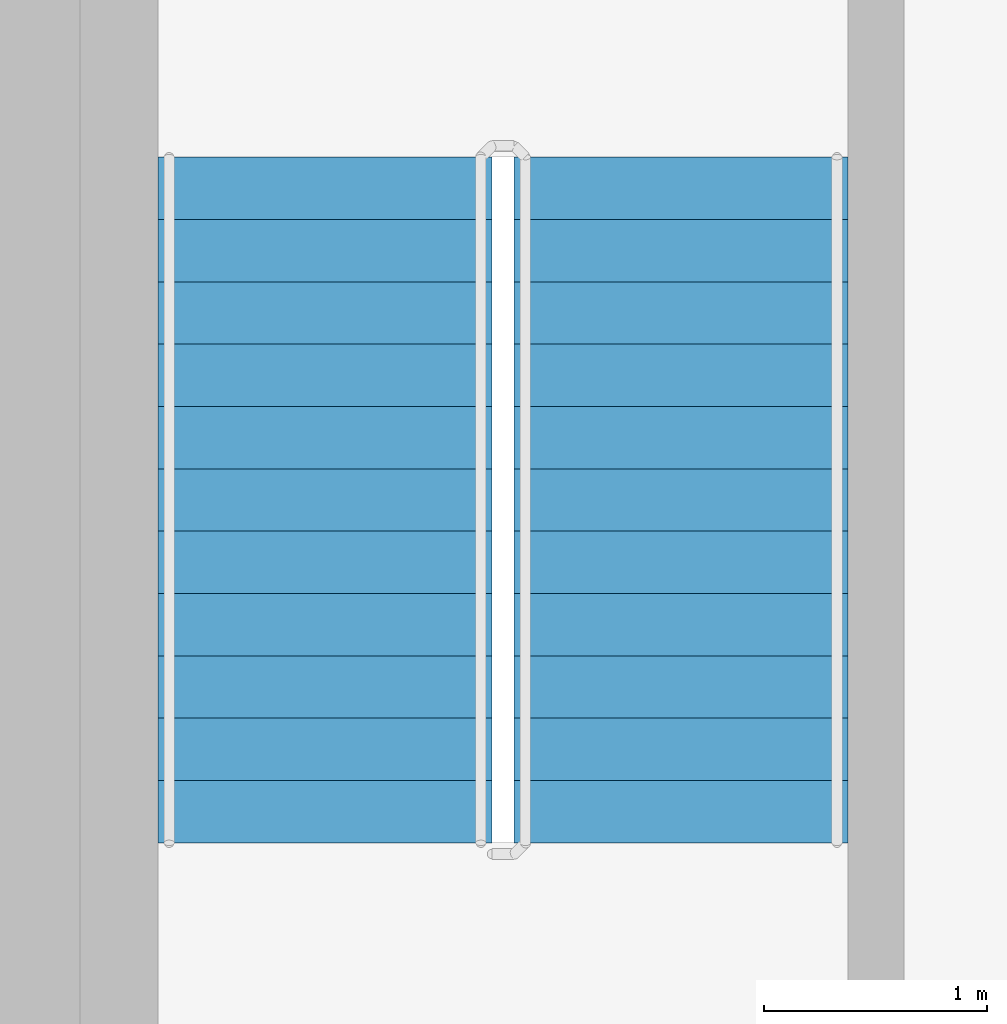
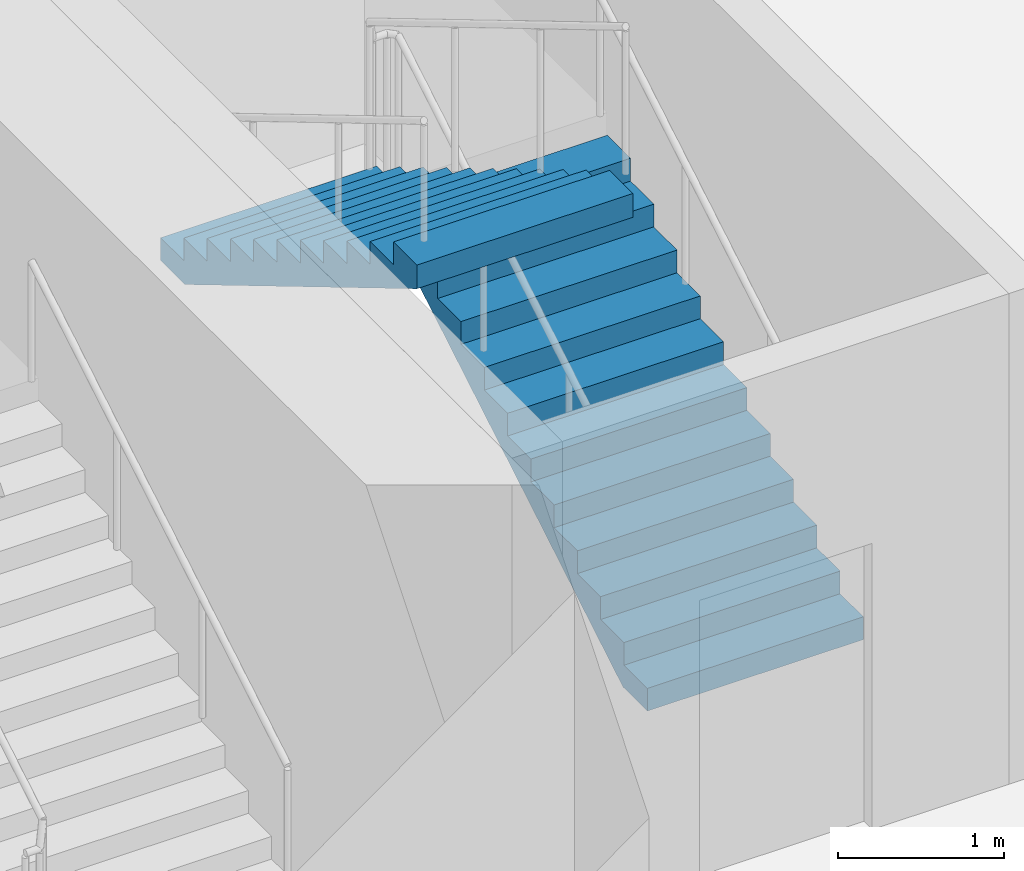
# One storey, part 16 of 19: 2 stair flights, 1 element without a shape of its own.
"""IFC4 building model written with IfcOpenShell, lengths in metres."""

from ifc_helpers import new_model, si_unit, direction, frame, origin, place, context, subcontext, project, spatial, triangles, source, transform, mapped, material, type_object, element, aggregate, save


model = new_model("IFC4")

# Units and contexts
model_context = context("Model", 3, precision=1e-05, world=origin(), true_north=direction((0.0, 1.0)))
body_context = subcontext(model_context, "Body", "Model", "MODEL_VIEW")
ifc_project = project(units=[si_unit("LENGTHUNIT", "METRE"), si_unit("AREAUNIT", "SQUARE_METRE"), si_unit("VOLUMEUNIT", "CUBIC_METRE"), si_unit("PLANEANGLEUNIT", "RADIAN"), si_unit("MASSUNIT", "GRAM", prefix="KILO")], contexts=[model_context])

# Site, building, storey
site_placement = place(None, origin())
site = spatial("IfcSite", under=ifc_project, at=site_placement, CompositionType="ELEMENT")
building_placement = place(site_placement, origin())
building = spatial("IfcBuilding", under=site, at=building_placement, Name="Kilnfold Tower and Market Hall", CompositionType="ELEMENT")
storey_placement = place(building_placement, frame((0.0, 0.0, 124.60009765625)))
storey = spatial("IfcBuildingStorey", under=building, at=storey_placement, Name="L29", CompositionType="ELEMENT", Elevation=124.60009765625)

# Stair, stair flights
ifc_material_1 = material(Name="Concrete C40/50", Category="concrete")
stair_type = type_object("IfcStairType", Name="CORE STAIR 1500", PredefinedType="HALF_TURN_STAIR", material=ifc_material_1)
stair_placement = place(storey_placement, origin())
stair = element("IfcStair", 1, at=stair_placement, inside=storey, type_object=stair_type, Name="L29 ST5", PredefinedType="HALF_TURN_STAIR")
ifc_material_2 = material(Name="Concrete C40/50", Category="concrete")
stair_flight_type = type_object("IfcStairFlightType", Name="CORE STAIR FLIGHT 1500", PredefinedType="STRAIGHT", material=ifc_material_2)
shared_shape = source(origin(), body_context, "Body", "Tessellation", [
    triangles([(0.0, 0.75, 0.0), (0.0, 0.65625, 0.0), (0.0, 0.5625, 0.0), (0.0, 0.46875, 0.0), (0.0, 0.375, 0.0), (0.0, 0.28125, 0.0), (0.0, 0.1875, 0.0), (0.0, 0.09375, 0.0), (0.0, 0.0, 0.0), (0.0, -0.09375, 0.0), (0.0, -0.1875, 0.0), (0.0, -0.28125, 0.0), (0.0, -0.375, 0.0), (0.0, -0.46875, 0.0), (0.0, -0.5625, 0.0), (0.0, -0.65625, 0.0), (0.0, -0.75, 0.0), (0.0, 0.75, 0.166748046875), (0.0, 0.65625, 0.166748046875), (0.0, 0.5625, 0.166748046875), (0.0, 0.46875, 0.166748046875), (0.0, 0.375, 0.166748046875), (0.0, 0.28125, 0.166748046875), (0.0, 0.1875, 0.166748046875), (0.0, 0.09375, 0.166748046875), (0.0, 0.0, 0.166748046875), (0.0, -0.09375, 0.166748046875), (0.0, -0.1875, 0.166748046875), (0.0, -0.28125, 0.166748046875), (0.0, -0.375, 0.166748046875), (0.0, -0.46875, 0.166748046875), (0.0, -0.5625, 0.166748046875), (0.0, -0.65625, 0.166748046875), (0.0, -0.75, 0.166748046875), (0.280029296875, 0.75, 0.166748046875), (0.280029296875, 0.65625, 0.166748046875), (0.280029296875, 0.5625, 0.166748046875), (0.280029296875, 0.46875, 0.166748046875), (0.280029296875, 0.375, 0.166748046875), (0.280029296875, 0.28125, 0.166748046875), (0.280029296875, 0.1875, 0.166748046875), (0.280029296875, 0.09375, 0.166748046875), (0.280029296875, 0.0, 0.166748046875), (0.280029296875, -0.09375, 0.166748046875), (0.280029296875, -0.1875, 0.166748046875), (0.280029296875, -0.28125, 0.166748046875), (0.280029296875, -0.375, 0.166748046875), (0.280029296875, -0.46875, 0.166748046875), (0.280029296875, -0.5625, 0.166748046875), (0.280029296875, -0.65625, 0.166748046875), (0.280029296875, -0.75, 0.166748046875), (0.280029296875, 0.75, 0.333251953125), (0.280029296875, 0.65625, 0.333251953125), (0.280029296875, 0.5625, 0.333251953125), (0.280029296875, 0.46875, 0.333251953125), (0.280029296875, 0.375, 0.333251953125), (0.280029296875, 0.28125, 0.333251953125), (0.280029296875, 0.1875, 0.333251953125), (0.280029296875, 0.09375, 0.333251953125), (0.280029296875, 0.0, 0.333251953125), (0.280029296875, -0.09375, 0.333251953125), (0.280029296875, -0.1875, 0.333251953125), (0.280029296875, -0.28125, 0.333251953125), (0.280029296875, -0.375, 0.333251953125), (0.280029296875, -0.46875, 0.333251953125), (0.280029296875, -0.5625, 0.333251953125), (0.280029296875, -0.65625, 0.333251953125), (0.280029296875, -0.75, 0.333251953125), (0.56005859375, 0.75, 0.333251953125), (0.56005859375, 0.65625, 0.333251953125), (0.56005859375, 0.5625, 0.333251953125), (0.56005859375, 0.46875, 0.333251953125), (0.56005859375, 0.375, 0.333251953125), (0.56005859375, 0.28125, 0.333251953125), (0.56005859375, 0.1875, 0.333251953125), (0.56005859375, 0.09375, 0.333251953125), (0.56005859375, 0.0, 0.333251953125), (0.56005859375, -0.09375, 0.333251953125), (0.56005859375, -0.1875, 0.333251953125), (0.56005859375, -0.28125, 0.333251953125), (0.56005859375, -0.375, 0.333251953125), (0.56005859375, -0.46875, 0.333251953125), (0.56005859375, -0.5625, 0.333251953125), (0.56005859375, -0.65625, 0.333251953125), (0.56005859375, -0.75, 0.333251953125), (0.56005859375, 0.75, 0.5), (0.56005859375, 0.65625, 0.5), (0.56005859375, 0.5625, 0.5), (0.56005859375, 0.46875, 0.5), (0.56005859375, 0.375, 0.5), (0.56005859375, 0.28125, 0.5), (0.56005859375, 0.1875, 0.5), (0.56005859375, 0.09375, 0.5), (0.56005859375, 0.0, 0.5), (0.56005859375, -0.09375, 0.5), (0.56005859375, -0.1875, 0.5), (0.56005859375, -0.28125, 0.5), (0.56005859375, -0.375, 0.5), (0.56005859375, -0.46875, 0.5), (0.56005859375, -0.5625, 0.5), (0.56005859375, -0.65625, 0.5), (0.56005859375, -0.75, 0.5), (0.840087890625, 0.75, 0.5), (0.840087890625, 0.65625, 0.5), (0.840087890625, 0.5625, 0.5), (0.840087890625, 0.46875, 0.5), (0.840087890625, 0.375, 0.5), (0.840087890625, 0.28125, 0.5), (0.840087890625, 0.1875, 0.5), (0.840087890625, 0.09375, 0.5), (0.840087890625, 0.0, 0.5), (0.840087890625, -0.09375, 0.5), (0.840087890625, -0.1875, 0.5), (0.840087890625, -0.28125, 0.5), (0.840087890625, -0.375, 0.5), (0.840087890625, -0.46875, 0.5), (0.840087890625, -0.5625, 0.5), (0.840087890625, -0.65625, 0.5), (0.840087890625, -0.75, 0.5), (0.840087890625, 0.75, 0.666748046875), (0.840087890625, 0.65625, 0.666748046875), (0.840087890625, 0.5625, 0.666748046875), (0.840087890625, 0.46875, 0.666748046875), (0.840087890625, 0.375, 0.666748046875), (0.840087890625, 0.28125, 0.666748046875), (0.840087890625, 0.1875, 0.666748046875), (0.840087890625, 0.09375, 0.666748046875), (0.840087890625, 0.0, 0.666748046875), (0.840087890625, -0.09375, 0.666748046875), (0.840087890625, -0.1875, 0.666748046875), (0.840087890625, -0.28125, 0.666748046875), (0.840087890625, -0.375, 0.666748046875), (0.840087890625, -0.46875, 0.666748046875), (0.840087890625, -0.5625, 0.666748046875), (0.840087890625, -0.65625, 0.666748046875), (0.840087890625, -0.75, 0.666748046875), (1.1201171875, 0.75, 0.666748046875), (1.1201171875, 0.65625, 0.666748046875), (1.1201171875, 0.5625, 0.666748046875), (1.1201171875, 0.46875, 0.666748046875), (1.1201171875, 0.375, 0.666748046875), (1.1201171875, 0.28125, 0.666748046875), (1.1201171875, 0.1875, 0.666748046875), (1.1201171875, 0.09375, 0.666748046875), (1.1201171875, 0.0, 0.666748046875), (1.1201171875, -0.09375, 0.666748046875), (1.1201171875, -0.1875, 0.666748046875), (1.1201171875, -0.28125, 0.666748046875), (1.1201171875, -0.375, 0.666748046875), (1.1201171875, -0.46875, 0.666748046875), (1.1201171875, -0.5625, 0.666748046875), (1.1201171875, -0.65625, 0.666748046875), (1.1201171875, -0.75, 0.666748046875), (1.1201171875, 0.75, 0.833251953125), (1.1201171875, 0.65625, 0.833251953125), (1.1201171875, 0.5625, 0.833251953125), (1.1201171875, 0.46875, 0.833251953125), (1.1201171875, 0.375, 0.833251953125), (1.1201171875, 0.28125, 0.833251953125), (1.1201171875, 0.1875, 0.833251953125), (1.1201171875, 0.09375, 0.833251953125), (1.1201171875, 0.0, 0.833251953125), (1.1201171875, -0.09375, 0.833251953125), (1.1201171875, -0.1875, 0.833251953125), (1.1201171875, -0.28125, 0.833251953125), (1.1201171875, -0.375, 0.833251953125), (1.1201171875, -0.46875, 0.833251953125), (1.1201171875, -0.5625, 0.833251953125), (1.1201171875, -0.65625, 0.833251953125), (1.1201171875, -0.75, 0.833251953125), (1.39990234375, 0.75, 0.833251953125), (1.39990234375, 0.65625, 0.833251953125), (1.39990234375, 0.5625, 0.833251953125), (1.39990234375, 0.46875, 0.833251953125), (1.39990234375, 0.375, 0.833251953125), (1.39990234375, 0.28125, 0.833251953125), (1.39990234375, 0.1875, 0.833251953125), (1.39990234375, 0.09375, 0.833251953125), (1.39990234375, 0.0, 0.833251953125), (1.39990234375, -0.09375, 0.833251953125), (1.39990234375, -0.1875, 0.833251953125), (1.39990234375, -0.28125, 0.833251953125), (1.39990234375, -0.375, 0.833251953125), (1.39990234375, -0.46875, 0.833251953125), (1.39990234375, -0.5625, 0.833251953125), (1.39990234375, -0.65625, 0.833251953125), (1.39990234375, -0.75, 0.833251953125), (1.39990234375, 0.75, 1.0), (1.39990234375, 0.65625, 1.0), (1.39990234375, 0.5625, 1.0), (1.39990234375, 0.46875, 1.0), (1.39990234375, 0.375, 1.0), (1.39990234375, 0.28125, 1.0), (1.39990234375, 0.1875, 1.0), (1.39990234375, 0.09375, 1.0), (1.39990234375, 0.0, 1.0), (1.39990234375, -0.09375, 1.0), (1.39990234375, -0.1875, 1.0), (1.39990234375, -0.28125, 1.0), (1.39990234375, -0.375, 1.0), (1.39990234375, -0.46875, 1.0), (1.39990234375, -0.5625, 1.0), (1.39990234375, -0.65625, 1.0), (1.39990234375, -0.75, 1.0), (1.679931640625, 0.75, 1.0), (1.679931640625, 0.65625, 1.0), (1.679931640625, 0.5625, 1.0), (1.679931640625, 0.46875, 1.0), (1.679931640625, 0.375, 1.0), (1.679931640625, 0.28125, 1.0), (1.679931640625, 0.1875, 1.0), (1.679931640625, 0.09375, 1.0), (1.679931640625, 0.0, 1.0), (1.679931640625, -0.09375, 1.0), (1.679931640625, -0.1875, 1.0), (1.679931640625, -0.28125, 1.0), (1.679931640625, -0.375, 1.0), (1.679931640625, -0.46875, 1.0), (1.679931640625, -0.5625, 1.0), (1.679931640625, -0.65625, 1.0), (1.679931640625, -0.75, 1.0), (1.679931640625, 0.75, 1.166748046875), (1.679931640625, 0.65625, 1.166748046875), (1.679931640625, 0.5625, 1.166748046875), (1.679931640625, 0.46875, 1.166748046875), (1.679931640625, 0.375, 1.166748046875), (1.679931640625, 0.28125, 1.166748046875), (1.679931640625, 0.1875, 1.166748046875), (1.679931640625, 0.09375, 1.166748046875), (1.679931640625, 0.0, 1.166748046875), (1.679931640625, -0.09375, 1.166748046875), (1.679931640625, -0.1875, 1.166748046875), (1.679931640625, -0.28125, 1.166748046875), (1.679931640625, -0.375, 1.166748046875), (1.679931640625, -0.46875, 1.166748046875), (1.679931640625, -0.5625, 1.166748046875), (1.679931640625, -0.65625, 1.166748046875), (1.679931640625, -0.75, 1.166748046875), (1.9599609375, 0.75, 1.166748046875), (1.9599609375, 0.65625, 1.166748046875), (1.9599609375, 0.5625, 1.166748046875), (1.9599609375, 0.46875, 1.166748046875), (1.9599609375, 0.375, 1.166748046875), (1.9599609375, 0.28125, 1.166748046875), (1.9599609375, 0.1875, 1.166748046875), (1.9599609375, 0.09375, 1.166748046875), (1.9599609375, 0.0, 1.166748046875), (1.9599609375, -0.09375, 1.166748046875), (1.9599609375, -0.1875, 1.166748046875), (1.9599609375, -0.28125, 1.166748046875), (1.9599609375, -0.375, 1.166748046875), (1.9599609375, -0.46875, 1.166748046875), (1.9599609375, -0.5625, 1.166748046875), (1.9599609375, -0.65625, 1.166748046875), (1.9599609375, -0.75, 1.166748046875), (1.9599609375, 0.75, 1.333251953125), (1.9599609375, 0.65625, 1.333251953125), (1.9599609375, 0.5625, 1.333251953125), (1.9599609375, 0.46875, 1.333251953125), (1.9599609375, 0.375, 1.333251953125), (1.9599609375, 0.28125, 1.333251953125), (1.9599609375, 0.1875, 1.333251953125), (1.9599609375, 0.09375, 1.333251953125), (1.9599609375, 0.0, 1.333251953125), (1.9599609375, -0.09375, 1.333251953125), (1.9599609375, -0.1875, 1.333251953125), (1.9599609375, -0.28125, 1.333251953125), (1.9599609375, -0.375, 1.333251953125), (1.9599609375, -0.46875, 1.333251953125), (1.9599609375, -0.5625, 1.333251953125), (1.9599609375, -0.65625, 1.333251953125), (1.9599609375, -0.75, 1.333251953125), (2.239990234375, 0.75, 1.333251953125), (2.239990234375, 0.65625, 1.333251953125), (2.239990234375, 0.5625, 1.333251953125), (2.239990234375, 0.46875, 1.333251953125), (2.239990234375, 0.375, 1.333251953125), (2.239990234375, 0.28125, 1.333251953125), (2.239990234375, 0.1875, 1.333251953125), (2.239990234375, 0.09375, 1.333251953125), (2.239990234375, 0.0, 1.333251953125), (2.239990234375, -0.09375, 1.333251953125), (2.239990234375, -0.1875, 1.333251953125), (2.239990234375, -0.28125, 1.333251953125), (2.239990234375, -0.375, 1.333251953125), (2.239990234375, -0.46875, 1.333251953125), (2.239990234375, -0.5625, 1.333251953125), (2.239990234375, -0.65625, 1.333251953125), (2.239990234375, -0.75, 1.333251953125), (2.239990234375, 0.75, 1.5), (2.239990234375, 0.65625, 1.5), (2.239990234375, 0.5625, 1.5), (2.239990234375, 0.46875, 1.5), (2.239990234375, 0.375, 1.5), (2.239990234375, 0.28125, 1.5), (2.239990234375, 0.1875, 1.5), (2.239990234375, 0.09375, 1.5), (2.239990234375, 0.0, 1.5), (2.239990234375, -0.09375, 1.5), (2.239990234375, -0.1875, 1.5), (2.239990234375, -0.28125, 1.5), (2.239990234375, -0.375, 1.5), (2.239990234375, -0.46875, 1.5), (2.239990234375, -0.5625, 1.5), (2.239990234375, -0.65625, 1.5), (2.239990234375, -0.75, 1.5), (2.52001953125, 0.75, 1.5), (2.52001953125, 0.65625, 1.5), (2.52001953125, 0.5625, 1.5), (2.52001953125, 0.46875, 1.5), (2.52001953125, 0.375, 1.5), (2.52001953125, 0.28125, 1.5), (2.52001953125, 0.1875, 1.5), (2.52001953125, 0.09375, 1.5), (2.52001953125, 0.0, 1.5), (2.52001953125, -0.09375, 1.5), (2.52001953125, -0.1875, 1.5), (2.52001953125, -0.28125, 1.5), (2.52001953125, -0.375, 1.5), (2.52001953125, -0.46875, 1.5), (2.52001953125, -0.5625, 1.5), (2.52001953125, -0.65625, 1.5), (2.52001953125, -0.75, 1.5), (2.52001953125, 0.75, 1.666748046875), (2.52001953125, 0.65625, 1.666748046875), (2.52001953125, 0.5625, 1.666748046875), (2.52001953125, 0.46875, 1.666748046875), (2.52001953125, 0.375, 1.666748046875), (2.52001953125, 0.28125, 1.666748046875), (2.52001953125, 0.1875, 1.666748046875), (2.52001953125, 0.09375, 1.666748046875), (2.52001953125, 0.0, 1.666748046875), (2.52001953125, -0.09375, 1.666748046875), (2.52001953125, -0.1875, 1.666748046875), (2.52001953125, -0.28125, 1.666748046875), (2.52001953125, -0.375, 1.666748046875), (2.52001953125, -0.46875, 1.666748046875), (2.52001953125, -0.5625, 1.666748046875), (2.52001953125, -0.65625, 1.666748046875), (2.52001953125, -0.75, 1.666748046875), (2.800048828125, 0.75, 1.666748046875), (2.800048828125, 0.65625, 1.666748046875), (2.800048828125, 0.5625, 1.666748046875), (2.800048828125, 0.46875, 1.666748046875), (2.800048828125, 0.375, 1.666748046875), (2.800048828125, 0.28125, 1.666748046875), (2.800048828125, 0.1875, 1.666748046875), (2.800048828125, 0.09375, 1.666748046875), (2.800048828125, 0.0, 1.666748046875), (2.800048828125, -0.09375, 1.666748046875), (2.800048828125, -0.1875, 1.666748046875), (2.800048828125, -0.28125, 1.666748046875), (2.800048828125, -0.375, 1.666748046875), (2.800048828125, -0.46875, 1.666748046875), (2.800048828125, -0.5625, 1.666748046875), (2.800048828125, -0.65625, 1.666748046875), (2.800048828125, -0.75, 1.666748046875), (2.800048828125, 0.75, 1.833251953125), (2.800048828125, 0.65625, 1.833251953125), (2.800048828125, 0.5625, 1.833251953125), (2.800048828125, 0.46875, 1.833251953125), (2.800048828125, 0.375, 1.833251953125), (2.800048828125, 0.28125, 1.833251953125), (2.800048828125, 0.1875, 1.833251953125), (2.800048828125, 0.09375, 1.833251953125), (2.800048828125, 0.0, 1.833251953125), (2.800048828125, -0.09375, 1.833251953125), (2.800048828125, -0.1875, 1.833251953125), (2.800048828125, -0.28125, 1.833251953125), (2.800048828125, -0.375, 1.833251953125), (2.800048828125, -0.46875, 1.833251953125), (2.800048828125, -0.5625, 1.833251953125), (2.800048828125, -0.65625, 1.833251953125), (2.800048828125, -0.75, 1.833251953125), (3.080078125, 0.75, 1.833251953125), (3.080078125, 0.65625, 1.833251953125), (3.080078125, 0.5625, 1.833251953125), (3.080078125, 0.46875, 1.833251953125), (3.080078125, 0.375, 1.833251953125), (3.080078125, 0.28125, 1.833251953125), (3.080078125, 0.1875, 1.833251953125), (3.080078125, 0.09375, 1.833251953125), (3.080078125, 0.0, 1.833251953125), (3.080078125, -0.09375, 1.833251953125), (3.080078125, -0.1875, 1.833251953125), (3.080078125, -0.28125, 1.833251953125), (3.080078125, -0.375, 1.833251953125), (3.080078125, -0.46875, 1.833251953125), (3.080078125, -0.5625, 1.833251953125), (3.080078125, -0.65625, 1.833251953125), (3.080078125, -0.75, 1.833251953125), (3.080078125, 0.75, 1.658935546875), (3.080078125, 0.65625, 1.658935546875), (3.080078125, 0.5625, 1.658935546875), (3.080078125, 0.46875, 1.658935546875), (3.080078125, 0.375, 1.658935546875), (3.080078125, 0.28125, 1.658935546875), (3.080078125, 0.1875, 1.658935546875), (3.080078125, 0.09375, 1.658935546875), (3.080078125, 0.0, 1.658935546875), (3.080078125, -0.09375, 1.658935546875), (3.080078125, -0.1875, 1.658935546875), (3.080078125, -0.28125, 1.658935546875), (3.080078125, -0.375, 1.658935546875), (3.080078125, -0.46875, 1.658935546875), (3.080078125, -0.5625, 1.658935546875), (3.080078125, -0.65625, 1.658935546875), (3.080078125, -0.75, 1.658935546875), (0.29296875, 0.75, 0.0), (0.29296875, 0.65625, 0.0), (0.29296875, 0.5625, 0.0), (0.29296875, 0.46875, 0.0), (0.29296875, 0.375, 0.0), (0.29296875, 0.28125, 0.0), (0.29296875, 0.1875, 0.0), (0.29296875, 0.09375, 0.0), (0.29296875, 0.0, 0.0), (0.29296875, -0.09375, 0.0), (0.29296875, -0.1875, 0.0), (0.29296875, -0.28125, 0.0), (0.29296875, -0.375, 0.0), (0.29296875, -0.46875, 0.0), (0.29296875, -0.5625, 0.0), (0.29296875, -0.65625, 0.0), (0.29296875, -0.75, 0.0)], [[1, 392, 409], [17, 425, 408], [392, 358, 375], [408, 391, 374], [392, 341, 358], [408, 374, 357], [392, 324, 341], [408, 357, 340], [392, 307, 324], [408, 340, 323], [307, 273, 290], [323, 306, 289], [392, 273, 307], [408, 323, 289], [273, 239, 256], [289, 272, 255], [392, 239, 273], [408, 289, 255], [239, 205, 222], [255, 238, 221], [392, 205, 239], [408, 255, 221], [205, 171, 188], [221, 204, 187], [392, 171, 205], [408, 221, 187], [171, 137, 154], [187, 170, 153], [392, 137, 171], [408, 187, 153], [137, 103, 120], [153, 136, 119], [392, 103, 137], [408, 153, 119], [103, 69, 86], [119, 102, 85], [392, 69, 103], [408, 119, 85], [1, 69, 392], [17, 408, 85], [69, 35, 52], [85, 68, 51], [1, 35, 69], [17, 85, 51], [35, 1, 18], [51, 34, 17], [1, 19, 18], [1, 2, 19], [2, 20, 19], [2, 3, 20], [3, 21, 20], [3, 4, 21], [4, 22, 21], [4, 5, 22], [5, 23, 22], [5, 6, 23], [6, 24, 23], [6, 7, 24], [7, 25, 24], [7, 8, 25], [8, 26, 25], [8, 9, 26], [9, 27, 26], [9, 10, 27], [10, 28, 27], [10, 11, 28], [11, 29, 28], [11, 12, 29], [12, 30, 29], [12, 13, 30], [13, 31, 30], [13, 14, 31], [14, 32, 31], [14, 15, 32], [15, 33, 32], [15, 16, 33], [16, 34, 33], [16, 17, 34], [18, 36, 35], [18, 19, 36], [19, 37, 36], [19, 20, 37], [20, 38, 37], [20, 21, 38], [21, 39, 38], [21, 22, 39], [22, 40, 39], [22, 23, 40], [23, 41, 40], [23, 24, 41], [24, 42, 41], [24, 25, 42], [25, 43, 42], [25, 26, 43], [26, 44, 43], [26, 27, 44], [27, 45, 44], [27, 28, 45], [28, 46, 45], [28, 29, 46], [29, 47, 46], [29, 30, 47], [30, 48, 47], [30, 31, 48], [31, 49, 48], [31, 32, 49], [32, 50, 49], [32, 33, 50], [33, 51, 50], [33, 34, 51], [35, 53, 52], [35, 36, 53], [36, 54, 53], [36, 37, 54], [37, 55, 54], [37, 38, 55], [38, 56, 55], [38, 39, 56], [39, 57, 56], [39, 40, 57], [40, 58, 57], [40, 41, 58], [41, 59, 58], [41, 42, 59], [42, 60, 59], [42, 43, 60], [43, 61, 60], [43, 44, 61], [44, 62, 61], [44, 45, 62], [45, 63, 62], [45, 46, 63], [46, 64, 63], [46, 47, 64], [47, 65, 64], [47, 48, 65], [48, 66, 65], [48, 49, 66], [49, 67, 66], [49, 50, 67], [50, 68, 67], [50, 51, 68], [52, 70, 69], [52, 53, 70], [53, 71, 70], [53, 54, 71], [54, 72, 71], [54, 55, 72], [55, 73, 72], [55, 56, 73], [56, 74, 73], [56, 57, 74], [57, 75, 74], [57, 58, 75], [58, 76, 75], [58, 59, 76], [59, 77, 76], [59, 60, 77], [60, 78, 77], [60, 61, 78], [61, 79, 78], [61, 62, 79], [62, 80, 79], [62, 63, 80], [63, 81, 80], [63, 64, 81], [64, 82, 81], [64, 65, 82], [65, 83, 82], [65, 66, 83], [66, 84, 83], [66, 67, 84], [67, 85, 84], [67, 68, 85], [69, 87, 86], [69, 70, 87], [70, 88, 87], [70, 71, 88], [71, 89, 88], [71, 72, 89], [72, 90, 89], [72, 73, 90], [73, 91, 90], [73, 74, 91], [74, 92, 91], [74, 75, 92], [75, 93, 92], [75, 76, 93], [76, 94, 93], [76, 77, 94], [77, 95, 94], [77, 78, 95], [78, 96, 95], [78, 79, 96], [79, 97, 96], [79, 80, 97], [80, 98, 97], [80, 81, 98], [81, 99, 98], [81, 82, 99], [82, 100, 99], [82, 83, 100], [83, 101, 100], [83, 84, 101], [84, 102, 101], [84, 85, 102], [86, 104, 103], [86, 87, 104], [87, 105, 104], [87, 88, 105], [88, 106, 105], [88, 89, 106], [89, 107, 106], [89, 90, 107], [90, 108, 107], [90, 91, 108], [91, 109, 108], [91, 92, 109], [92, 110, 109], [92, 93, 110], [93, 111, 110], [93, 94, 111], [94, 112, 111], [94, 95, 112], [95, 113, 112], [95, 96, 113], [96, 114, 113], [96, 97, 114], [97, 115, 114], [97, 98, 115], [98, 116, 115], [98, 99, 116], [99, 117, 116], [99, 100, 117], [100, 118, 117], [100, 101, 118], [101, 119, 118], [101, 102, 119], [103, 121, 120], [103, 104, 121], [104, 122, 121], [104, 105, 122], [105, 123, 122], [105, 106, 123], [106, 124, 123], [106, 107, 124], [107, 125, 124], [107, 108, 125], [108, 126, 125], [108, 109, 126], [109, 127, 126], [109, 110, 127], [110, 128, 127], [110, 111, 128], [111, 129, 128], [111, 112, 129], [112, 130, 129], [112, 113, 130], [113, 131, 130], [113, 114, 131], [114, 132, 131], [114, 115, 132], [115, 133, 132], [115, 116, 133], [116, 134, 133], [116, 117, 134], [117, 135, 134], [117, 118, 135], [118, 136, 135], [118, 119, 136], [120, 138, 137], [120, 121, 138], [121, 139, 138], [121, 122, 139], [122, 140, 139], [122, 123, 140], [123, 141, 140], [123, 124, 141], [124, 142, 141], [124, 125, 142], [125, 143, 142], [125, 126, 143], [126, 144, 143], [126, 127, 144], [127, 145, 144], [127, 128, 145], [128, 146, 145], [128, 129, 146], [129, 147, 146], [129, 130, 147], [130, 148, 147], [130, 131, 148], [131, 149, 148], [131, 132, 149], [132, 150, 149], [132, 133, 150], [133, 151, 150], [133, 134, 151], [134, 152, 151], [134, 135, 152], [135, 153, 152], [135, 136, 153], [137, 155, 154], [137, 138, 155], [138, 156, 155], [138, 139, 156], [139, 157, 156], [139, 140, 157], [140, 158, 157], [140, 141, 158], [141, 159, 158], [141, 142, 159], [142, 160, 159], [142, 143, 160], [143, 161, 160], [143, 144, 161], [144, 162, 161], [144, 145, 162], [145, 163, 162], [145, 146, 163], [146, 164, 163], [146, 147, 164], [147, 165, 164], [147, 148, 165], [148, 166, 165], [148, 149, 166], [149, 167, 166], [149, 150, 167], [150, 168, 167], [150, 151, 168], [151, 169, 168], [151, 152, 169], [152, 170, 169], [152, 153, 170], [154, 172, 171], [154, 155, 172], [155, 173, 172], [155, 156, 173], [156, 174, 173], [156, 157, 174], [157, 175, 174], [157, 158, 175], [158, 176, 175], [158, 159, 176], [159, 177, 176], [159, 160, 177], [160, 178, 177], [160, 161, 178], [161, 179, 178], [161, 162, 179], [162, 180, 179], [162, 163, 180], [163, 181, 180], [163, 164, 181], [164, 182, 181], [164, 165, 182], [165, 183, 182], [165, 166, 183], [166, 184, 183], [166, 167, 184], [167, 185, 184], [167, 168, 185], [168, 186, 185], [168, 169, 186], [169, 187, 186], [169, 170, 187], [171, 189, 188], [171, 172, 189], [172, 190, 189], [172, 173, 190], [173, 191, 190], [173, 174, 191], [174, 192, 191], [174, 175, 192], [175, 193, 192], [175, 176, 193], [176, 194, 193], [176, 177, 194], [177, 195, 194], [177, 178, 195], [178, 196, 195], [178, 179, 196], [179, 197, 196], [179, 180, 197], [180, 198, 197], [180, 181, 198], [181, 199, 198], [181, 182, 199], [182, 200, 199], [182, 183, 200], [183, 201, 200], [183, 184, 201], [184, 202, 201], [184, 185, 202], [185, 203, 202], [185, 186, 203], [186, 204, 203], [186, 187, 204], [188, 206, 205], [188, 189, 206], [189, 207, 206], [189, 190, 207], [190, 208, 207], [190, 191, 208], [191, 209, 208], [191, 192, 209], [192, 210, 209], [192, 193, 210], [193, 211, 210], [193, 194, 211], [194, 212, 211], [194, 195, 212], [195, 213, 212], [195, 196, 213], [196, 214, 213], [196, 197, 214], [197, 215, 214], [197, 198, 215], [198, 216, 215], [198, 199, 216], [199, 217, 216], [199, 200, 217], [200, 218, 217], [200, 201, 218], [201, 219, 218], [201, 202, 219], [202, 220, 219], [202, 203, 220], [203, 221, 220], [203, 204, 221], [205, 223, 222], [205, 206, 223], [206, 224, 223], [206, 207, 224], [207, 225, 224], [207, 208, 225], [208, 226, 225], [208, 209, 226], [209, 227, 226], [209, 210, 227], [210, 228, 227], [210, 211, 228], [211, 229, 228], [211, 212, 229], [212, 230, 229], [212, 213, 230], [213, 231, 230], [213, 214, 231], [214, 232, 231], [214, 215, 232], [215, 233, 232], [215, 216, 233], [216, 234, 233], [216, 217, 234], [217, 235, 234], [217, 218, 235], [218, 236, 235], [218, 219, 236], [219, 237, 236], [219, 220, 237], [220, 238, 237], [220, 221, 238], [222, 240, 239], [222, 223, 240], [223, 241, 240], [223, 224, 241], [224, 242, 241], [224, 225, 242], [225, 243, 242], [225, 226, 243], [226, 244, 243], [226, 227, 244], [227, 245, 244], [227, 228, 245], [228, 246, 245], [228, 229, 246], [229, 247, 246], [229, 230, 247], [230, 248, 247], [230, 231, 248], [231, 249, 248], [231, 232, 249], [232, 250, 249], [232, 233, 250], [233, 251, 250], [233, 234, 251], [234, 252, 251], [234, 235, 252], [235, 253, 252], [235, 236, 253], [236, 254, 253], [236, 237, 254], [237, 255, 254], [237, 238, 255], [239, 257, 256], [239, 240, 257], [240, 258, 257], [240, 241, 258], [241, 259, 258], [241, 242, 259], [242, 260, 259], [242, 243, 260], [243, 261, 260], [243, 244, 261], [244, 262, 261], [244, 245, 262], [245, 263, 262], [245, 246, 263], [246, 264, 263], [246, 247, 264], [247, 265, 264], [247, 248, 265], [248, 266, 265], [248, 249, 266], [249, 267, 266], [249, 250, 267], [250, 268, 267], [250, 251, 268], [251, 269, 268], [251, 252, 269], [252, 270, 269], [252, 253, 270], [253, 271, 270], [253, 254, 271], [254, 272, 271], [254, 255, 272], [256, 274, 273], [256, 257, 274], [257, 275, 274], [257, 258, 275], [258, 276, 275], [258, 259, 276], [259, 277, 276], [259, 260, 277], [260, 278, 277], [260, 261, 278], [261, 279, 278], [261, 262, 279], [262, 280, 279], [262, 263, 280], [263, 281, 280], [263, 264, 281], [264, 282, 281], [264, 265, 282], [265, 283, 282], [265, 266, 283], [266, 284, 283], [266, 267, 284], [267, 285, 284], [267, 268, 285], [268, 286, 285], [268, 269, 286], [269, 287, 286], [269, 270, 287], [270, 288, 287], [270, 271, 288], [271, 289, 288], [271, 272, 289], [273, 291, 290], [273, 274, 291], [274, 292, 291], [274, 275, 292], [275, 293, 292], [275, 276, 293], [276, 294, 293], [276, 277, 294], [277, 295, 294], [277, 278, 295], [278, 296, 295], [278, 279, 296], [279, 297, 296], [279, 280, 297], [280, 298, 297], [280, 281, 298], [281, 299, 298], [281, 282, 299], [282, 300, 299], [282, 283, 300], [283, 301, 300], [283, 284, 301], [284, 302, 301], [284, 285, 302], [285, 303, 302], [285, 286, 303], [286, 304, 303], [286, 287, 304], [287, 305, 304], [287, 288, 305], [288, 306, 305], [288, 289, 306], [290, 308, 307], [290, 291, 308], [291, 309, 308], [291, 292, 309], [292, 310, 309], [292, 293, 310], [293, 311, 310], [293, 294, 311], [294, 312, 311], [294, 295, 312], [295, 313, 312], [295, 296, 313], [296, 314, 313], [296, 297, 314], [297, 315, 314], [297, 298, 315], [298, 316, 315], [298, 299, 316], [299, 317, 316], [299, 300, 317], [300, 318, 317], [300, 301, 318], [301, 319, 318], [301, 302, 319], [302, 320, 319], [302, 303, 320], [303, 321, 320], [303, 304, 321], [304, 322, 321], [304, 305, 322], [305, 323, 322], [305, 306, 323], [307, 325, 324], [307, 308, 325], [308, 326, 325], [308, 309, 326], [309, 327, 326], [309, 310, 327], [310, 328, 327], [310, 311, 328], [311, 329, 328], [311, 312, 329], [312, 330, 329], [312, 313, 330], [313, 331, 330], [313, 314, 331], [314, 332, 331], [314, 315, 332], [315, 333, 332], [315, 316, 333], [316, 334, 333], [316, 317, 334], [317, 335, 334], [317, 318, 335], [318, 336, 335], [318, 319, 336], [319, 337, 336], [319, 320, 337], [320, 338, 337], [320, 321, 338], [321, 339, 338], [321, 322, 339], [322, 340, 339], [322, 323, 340], [324, 342, 341], [324, 325, 342], [325, 343, 342], [325, 326, 343], [326, 344, 343], [326, 327, 344], [327, 345, 344], [327, 328, 345], [328, 346, 345], [328, 329, 346], [329, 347, 346], [329, 330, 347], [330, 348, 347], [330, 331, 348], [331, 349, 348], [331, 332, 349], [332, 350, 349], [332, 333, 350], [333, 351, 350], [333, 334, 351], [334, 352, 351], [334, 335, 352], [335, 353, 352], [335, 336, 353], [336, 354, 353], [336, 337, 354], [337, 355, 354], [337, 338, 355], [338, 356, 355], [338, 339, 356], [339, 357, 356], [339, 340, 357], [341, 359, 358], [341, 342, 359], [342, 360, 359], [342, 343, 360], [343, 361, 360], [343, 344, 361], [344, 362, 361], [344, 345, 362], [345, 363, 362], [345, 346, 363], [346, 364, 363], [346, 347, 364], [347, 365, 364], [347, 348, 365], [348, 366, 365], [348, 349, 366], [349, 367, 366], [349, 350, 367], [350, 368, 367], [350, 351, 368], [351, 369, 368], [351, 352, 369], [352, 370, 369], [352, 353, 370], [353, 371, 370], [353, 354, 371], [354, 372, 371], [354, 355, 372], [355, 373, 372], [355, 356, 373], [356, 374, 373], [356, 357, 374], [358, 376, 375], [358, 359, 376], [359, 377, 376], [359, 360, 377], [360, 378, 377], [360, 361, 378], [361, 379, 378], [361, 362, 379], [362, 380, 379], [362, 363, 380], [363, 381, 380], [363, 364, 381], [364, 382, 381], [364, 365, 382], [365, 383, 382], [365, 366, 383], [366, 384, 383], [366, 367, 384], [367, 385, 384], [367, 368, 385], [368, 386, 385], [368, 369, 386], [369, 387, 386], [369, 370, 387], [370, 388, 387], [370, 371, 388], [371, 389, 388], [371, 372, 389], [372, 390, 389], [372, 373, 390], [373, 391, 390], [373, 374, 391], [375, 393, 392], [375, 376, 393], [376, 394, 393], [376, 377, 394], [377, 395, 394], [377, 378, 395], [378, 396, 395], [378, 379, 396], [379, 397, 396], [379, 380, 397], [380, 398, 397], [380, 381, 398], [381, 399, 398], [381, 382, 399], [382, 400, 399], [382, 383, 400], [383, 401, 400], [383, 384, 401], [384, 402, 401], [384, 385, 402], [385, 403, 402], [385, 386, 403], [386, 404, 403], [386, 387, 404], [387, 405, 404], [387, 388, 405], [388, 406, 405], [388, 389, 406], [389, 407, 406], [389, 390, 407], [390, 408, 407], [390, 391, 408], [392, 410, 409], [392, 393, 410], [393, 411, 410], [393, 394, 411], [394, 412, 411], [394, 395, 412], [395, 413, 412], [395, 396, 413], [396, 414, 413], [396, 397, 414], [397, 415, 414], [397, 398, 415], [398, 416, 415], [398, 399, 416], [399, 417, 416], [399, 400, 417], [400, 418, 417], [400, 401, 418], [401, 419, 418], [401, 402, 419], [402, 420, 419], [402, 403, 420], [403, 421, 420], [403, 404, 421], [404, 422, 421], [404, 405, 422], [405, 423, 422], [405, 406, 423], [406, 424, 423], [406, 407, 424], [407, 425, 424], [407, 408, 425], [409, 2, 1], [409, 410, 2], [410, 3, 2], [410, 411, 3], [411, 4, 3], [411, 412, 4], [412, 5, 4], [412, 413, 5], [413, 6, 5], [413, 414, 6], [414, 7, 6], [414, 415, 7], [415, 8, 7], [415, 416, 8], [416, 9, 8], [416, 417, 9], [417, 10, 9], [417, 418, 10], [418, 11, 10], [418, 419, 11], [419, 12, 11], [419, 420, 12], [420, 13, 12], [420, 421, 13], [421, 14, 13], [421, 422, 14], [422, 15, 14], [422, 423, 15], [423, 16, 15], [423, 424, 16], [424, 17, 16], [424, 425, 17]], closed=True),
])
stair_flight_1_placement = place(storey_placement, frame((20.699951171875, 11.5, 0.0), z_axis=(0.0, 0.0, 1.0), x_axis=(0.0, 1.0, 0.0)))
stair_flight_1 = element("IfcStairFlight", 2, at=stair_flight_1_placement, type_object=stair_flight_type, Name="ST5 flight 1", NumberOfRisers=12, NumberOfTreads=11, PredefinedType="STRAIGHT", RiserHeight=0.166666667, TreadLength=0.28, context=body_context, shape_type="MappedRepresentation", body=[
    mapped(shared_shape, transform((0.0, 0.0, 0.0))),
])
stair_flight_2_placement = place(storey_placement, frame((19.10009765625, 14.580078125, 2.0), z_axis=(0.0, 0.0, 1.0), x_axis=(0.0, -1.0, 0.0)))
stair_flight_2 = element("IfcStairFlight", 3, at=stair_flight_2_placement, type_object=stair_flight_type, Name="ST5 flight 2", NumberOfRisers=12, NumberOfTreads=11, PredefinedType="STRAIGHT", RiserHeight=0.166666667, TreadLength=0.28, context=body_context, shape_type="MappedRepresentation", body=[
    mapped(shared_shape, transform((0.0, 0.0, 0.0))),
])
aggregate(stair, [stair_flight_1, stair_flight_2])

save(model, "model.ifc")
